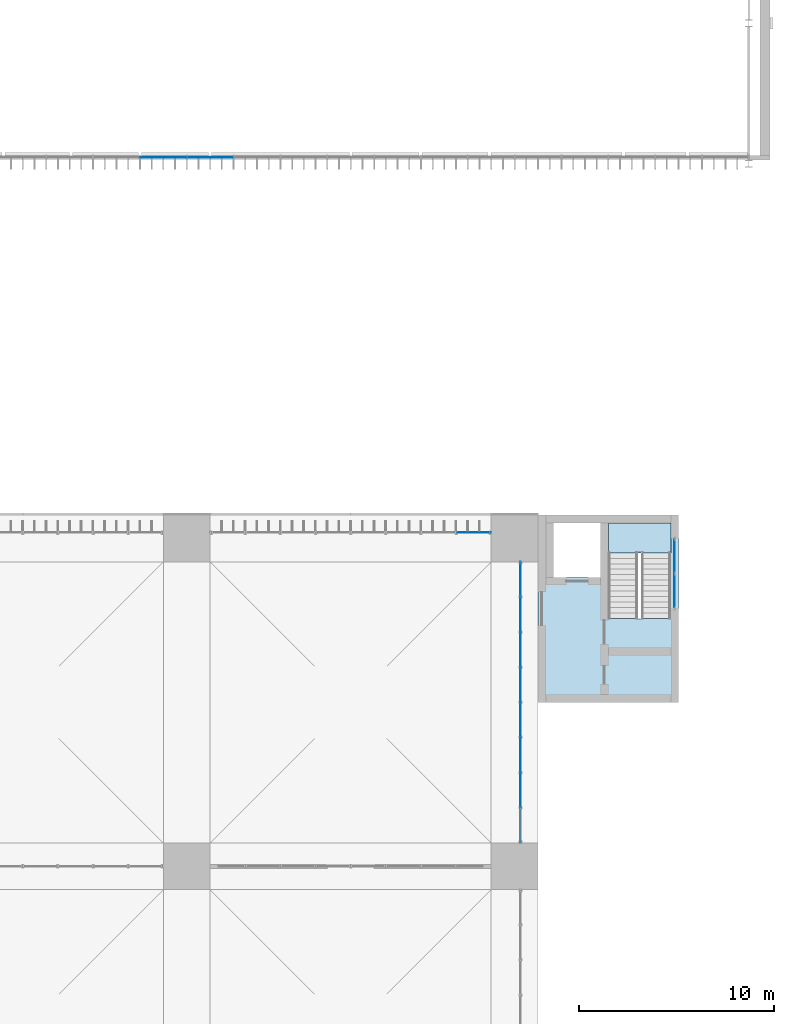
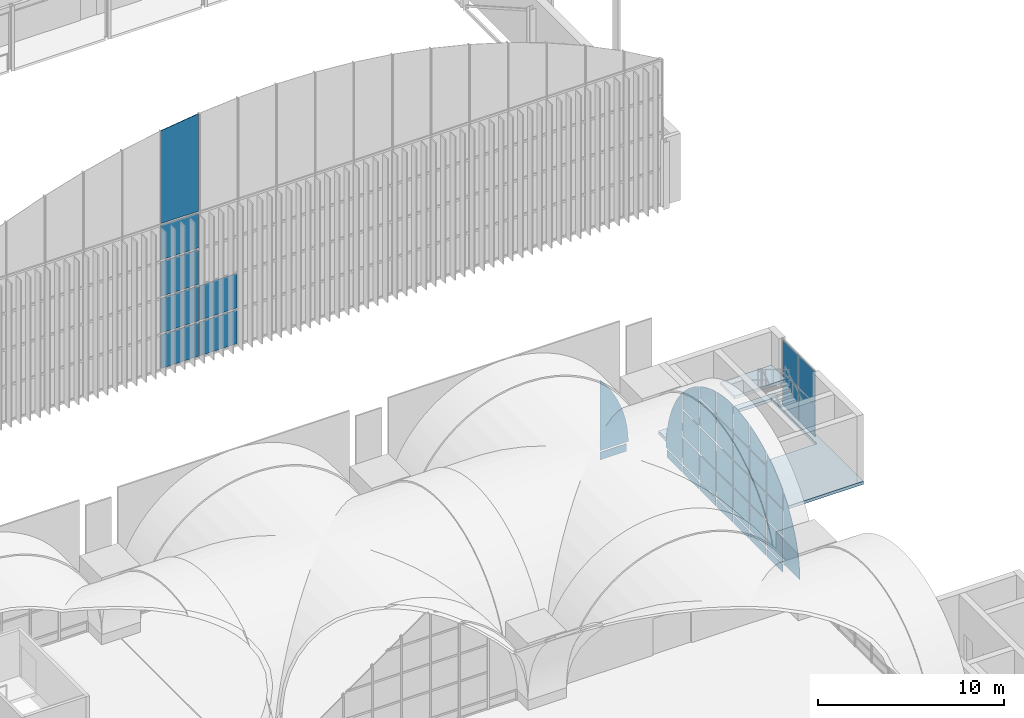
# One storey, part 94 of 169: 44 plates, 2 slabs, 5 elements without a shape of their own.
"""IFC4 building model written with IfcOpenShell, lengths in metres."""

from ifc_helpers import new_model, si_unit, direction, frame, origin, origin_2d, place, context, subcontext, project, spatial, polyline, rectangle, outline, extrude, material, layer, layer_set, type_object, element, aggregate, save


model = new_model("IFC4")

# Units and contexts
model_context = context("Model", 3, precision=1e-05, world=origin(), true_north=direction((0.0, 1.0)))
body_context = subcontext(model_context, "Body", "Model", "MODEL_VIEW")
ifc_project = project(units=[si_unit("LENGTHUNIT", "METRE"), si_unit("AREAUNIT", "SQUARE_METRE"), si_unit("VOLUMEUNIT", "CUBIC_METRE"), si_unit("PLANEANGLEUNIT", "RADIAN"), si_unit("MASSUNIT", "GRAM", prefix="KILO")], contexts=[model_context])

# Site, building, storey
site_placement = place(None, origin())
site = spatial("IfcSite", under=ifc_project, at=site_placement, CompositionType="ELEMENT")
building_placement = place(site_placement, origin())
building = spatial("IfcBuilding", under=site, at=building_placement, Name="Verrick Yard Athletic Hall", CompositionType="ELEMENT")
storey_placement = place(building_placement, frame((0.0, 0.0, 4.39990234375)))
storey = spatial("IfcBuildingStorey", under=building, at=storey_placement, Name="L01", CompositionType="ELEMENT", Elevation=4.39990234375)

# Slab
ifc_material_1 = material(Name="Concrete 35 MPa", Category="concrete")
ifc_layer_1 = layer(ifc_material_1, 0.199951171875)
ifc_layer_set_1 = layer_set([ifc_layer_1], Name="Core floor slab 200")
slab_type_1 = type_object("IfcSlabType", Name="Core floor slab 200", PredefinedType="FLOOR", material=ifc_layer_set_1)
slab_1_placement = place(storey_placement, frame((0.0, 0.0, -0.199951171875)))
element("IfcSlab", 1, at=slab_1_placement, inside=storey, type_object=slab_type_1, Name="CORE-CB4-FLR-L01", PredefinedType="FLOOR", context=body_context, shape_type="SweptSolid", body=[
    extrude(outline(polyline([(158.800048828125, 44.39990234375), (166.0, 44.39990234375), (166.0, 54.0), (158.800048828125, 54.0), (158.800048828125, 44.39990234375)]), holes=[polyline([(165.596923828125, 48.702880859375), (162.403076171875, 48.702880859375), (162.403076171875, 53.596923828125), (165.596923828125, 53.596923828125), (165.596923828125, 48.702880859375)]), polyline([(159.60302734375, 50.802978515625), (159.60302734375, 53.596923828125), (161.9970703125, 53.596923828125), (161.9970703125, 50.802978515625), (159.60302734375, 50.802978515625)])]), origin(), (0.0, 0.0, 1.0), 0.199951171875),
])

# Curtain wall, plates
ifc_material_2 = material(Name="Aluminium 6063-T5", Category="aluminium")
curtain_wall_type_1 = type_object("IfcCurtainWallType", Name="Core glazing strip", PredefinedType="NOTDEFINED", material=ifc_material_2)
curtain_wall_1_placement = place(storey_placement, origin())
curtain_wall_1 = element("IfcCurtainWall", 2, at=curtain_wall_1_placement, inside=storey, type_object=curtain_wall_type_1, Name="CORE-CB4-CW-L01", PredefinedType="NOTDEFINED")
ifc_material_3 = material(Name="Glass IGU low-e", Category="glass")
ifc_layer_2 = layer(ifc_material_3, 0.028076171875)
ifc_layer_set_2 = layer_set([ifc_layer_2], Name="Core glazing panel 28")
plate_type_1 = type_object("IfcPlateType", Name="Core glazing panel 28", PredefinedType="CURTAIN_PANEL", material=ifc_layer_set_2)
plate_1_placement = place(storey_placement, frame((165.800048828125, 50.114990234375, 0.06005859375), z_axis=(0.0, 0.0, 1.0), x_axis=(0.0, 1.0, 0.0)))
plate_1 = element("IfcPlate", 3, at=plate_1_placement, type_object=plate_type_1, Name="CW5 panel 1.1", PredefinedType="CURTAIN_PANEL", context=body_context, shape_type="SweptSolid", body=[
    extrude(rectangle(XDim=1.7099609375, YDim=0.028076171875, at=origin_2d()), origin(), (0.0, 0.0, 1.0), 2.110107421875),
])
plate_2_placement = place(storey_placement, frame((165.800048828125, 50.114990234375, 2.22998046875), z_axis=(0.0, 0.0, 1.0), x_axis=(0.0, 1.0, 0.0)))
plate_2 = element("IfcPlate", 4, at=plate_2_placement, type_object=plate_type_1, Name="CW5 panel 1.2", PredefinedType="CURTAIN_PANEL", context=body_context, shape_type="SweptSolid", body=[
    extrude(rectangle(XDim=1.7099609375, YDim=0.028076171875, at=origin_2d()), origin(), (0.0, 0.0, 1.0), 2.110107421875),
])
plate_3_placement = place(storey_placement, frame((165.800048828125, 51.885009765625, 0.06005859375), z_axis=(0.0, 0.0, 1.0), x_axis=(0.0, 1.0, 0.0)))
plate_3 = element("IfcPlate", 5, at=plate_3_placement, type_object=plate_type_1, Name="CW5 panel 2.1", PredefinedType="CURTAIN_PANEL", context=body_context, shape_type="SweptSolid", body=[
    extrude(rectangle(XDim=1.7099609375, YDim=0.028076171875, at=origin_2d()), origin(), (0.0, 0.0, 1.0), 2.110107421875),
])
plate_4_placement = place(storey_placement, frame((165.800048828125, 51.885009765625, 2.22998046875), z_axis=(0.0, 0.0, 1.0), x_axis=(0.0, 1.0, 0.0)))
plate_4 = element("IfcPlate", 6, at=plate_4_placement, type_object=plate_type_1, Name="CW5 panel 2.2", PredefinedType="CURTAIN_PANEL", context=body_context, shape_type="SweptSolid", body=[
    extrude(rectangle(XDim=1.7099609375, YDim=0.028076171875, at=origin_2d()), origin(), (0.0, 0.0, 1.0), 2.110107421875),
])
aggregate(curtain_wall_1, [plate_1, plate_2, plate_3, plate_4])

ifc_material_4 = material(Name="Aluminium and glass curtain wall", Category="aluminium")
ifc_layer_3 = layer(ifc_material_4, 0.14990234375)
ifc_layer_set_3 = layer_set([ifc_layer_3], Name="Arcade glazing arch")
curtain_wall_type_2 = type_object("IfcCurtainWallType", Name="Arcade glazing arch", PredefinedType="NOTDEFINED", material=ifc_layer_set_3)
curtain_wall_2_placement = place(storey_placement, origin())
curtain_wall_2 = element("IfcCurtainWall", 7, at=curtain_wall_2_placement, inside=storey, type_object=curtain_wall_type_2, Name="Arcade glazing N7", PredefinedType="NOTDEFINED")
ifc_material_5 = material(Name="Laminated glass 28 mm", Category="glass")
ifc_layer_4 = layer(ifc_material_5, 0.028076171875)
ifc_layer_set_4 = layer_set([ifc_layer_4], Name="Curtain wall glass panel")
plate_type_2 = type_object("IfcPlateType", Name="Curtain wall glass panel", PredefinedType="CURTAIN_PANEL", material=ifc_layer_set_4)
plate_5_placement = place(storey_placement, frame((142.0, 53.10009765625, 0.101806640625), z_axis=(0.0, 0.0, 1.0), x_axis=(1.0, 0.0, 0.0)))
plate_5 = element("IfcPlate", 8, at=plate_5_placement, type_object=plate_type_2, Name="Arcade glazing N7 panel 31", PredefinedType="CURTAIN_PANEL", context=body_context, shape_type="SweptSolid", body=[
    extrude(outline(polyline([(14.2978515625, 0.0), (14.2978515625, 0.49755859375), (12.65087890625, 0.49755859375), (12.65087890625, 0.0), (14.2978515625, 0.0)])), frame((0.0, 0.01416015625, 0.0), z_axis=(0.0, -1.0, 0.0), x_axis=(1.0, 0.0, 0.0)), (0.0, 0.0, 1.0), 0.028076171875),
])
plate_6_placement = place(storey_placement, frame((142.0, 53.10009765625, 0.700927734375), z_axis=(0.0, 0.0, 1.0), x_axis=(1.0, 0.0, 0.0)))
plate_6 = element("IfcPlate", 9, at=plate_6_placement, type_object=plate_type_2, Name="Arcade glazing N7 panel 32", PredefinedType="CURTAIN_PANEL", context=body_context, shape_type="SweptSolid", body=[
    extrude(outline(polyline([(14.39892578125, 0.0), (14.39306640625, 0.26318359375), (14.37255859375, 0.57666015625), (14.33837890625, 0.888916015625), (14.29052734375, 1.199462890625), (14.229248046875, 1.507568359375), (14.15478515625, 1.812744140625), (14.06689453125, 2.1142578125), (13.9658203125, 2.41162109375), (13.851806640625, 2.70458984375), (13.725341796875, 2.9921875), (13.58642578125, 3.273681640625), (13.435302734375, 3.549072265625), (13.2724609375, 3.81787109375), (13.097900390625, 4.078857421875), (12.912109375, 4.332275390625), (12.715576171875, 4.5771484375), (12.65087890625, 4.651123046875), (12.65087890625, 0.0), (14.39892578125, 0.0)])), frame((0.0, 0.01416015625, 0.0), z_axis=(0.0, -1.0, 0.0), x_axis=(1.0, 0.0, 0.0)), (0.0, 0.0, 1.0), 0.028076171875),
])
aggregate(curtain_wall_2, [plate_5, plate_6])

ifc_layer_5 = layer(ifc_material_4, 0.14990234375)
ifc_layer_set_5 = layer_set([ifc_layer_5], Name="East end glazing arch")
curtain_wall_type_3 = type_object("IfcCurtainWallType", Name="East end glazing arch", PredefinedType="NOTDEFINED", material=ifc_layer_set_5)
curtain_wall_3_placement = place(storey_placement, origin())
curtain_wall_3 = element("IfcCurtainWall", 10, at=curtain_wall_3_placement, inside=storey, type_object=curtain_wall_type_3, Name="East end glazing 2", PredefinedType="NOTDEFINED")
plate_7_placement = place(storey_placement, frame((157.89990234375, 37.199951171875, 0.700927734375), z_axis=(0.0, 0.0, 1.0), x_axis=(0.0, 1.0, 0.0)))
plate_7 = element("IfcPlate", 11, at=plate_7_placement, type_object=plate_type_2, Name="East end glazing 2 panel 2", PredefinedType="CURTAIN_PANEL", context=body_context, shape_type="SweptSolid", body=[
    extrude(outline(polyline([(1.749267578125, 4.651123046875), (1.6845703125, 4.5771484375), (1.48779296875, 4.332275390625), (1.302001953125, 4.078857421875), (1.127685546875, 3.81787109375), (0.964599609375, 3.549072265625), (0.8134765625, 3.273681640625), (0.674560546875, 2.9921875), (0.548095703125, 2.70458984375), (0.43408203125, 2.41162109375), (0.333251953125, 2.1142578125), (0.245361328125, 1.812744140625), (0.170654296875, 1.507568359375), (0.109375, 1.199462890625), (0.0615234375, 0.888916015625), (0.02734375, 0.57666015625), (0.0068359375, 0.26318359375), (0.001220703125, 0.0), (1.749267578125, 0.0), (1.749267578125, 4.651123046875)])), frame((0.0, 0.01416015625, 0.0), z_axis=(0.0, -1.0, 0.0), x_axis=(1.0, 0.0, 0.0)), (0.0, 0.0, 1.0), 0.028076171875),
])
plate_8_placement = place(storey_placement, frame((157.89990234375, 37.199951171875, 0.101806640625), z_axis=(0.0, 0.0, 1.0), x_axis=(0.0, 1.0, 0.0)))
plate_8 = element("IfcPlate", 12, at=plate_8_placement, type_object=plate_type_2, Name="East end glazing 2 panel 3", PredefinedType="CURTAIN_PANEL", context=body_context, shape_type="SweptSolid", body=[
    extrude(outline(polyline([(3.54931640625, 0.0), (3.54931640625, 0.49755859375), (1.850830078125, 0.49755859375), (1.850830078125, 0.0), (3.54931640625, 0.0)])), frame((0.0, 0.01416015625, 0.0), z_axis=(0.0, -1.0, 0.0), x_axis=(1.0, 0.0, 0.0)), (0.0, 0.0, 1.0), 0.028076171875),
])
plate_9_placement = place(storey_placement, frame((157.89990234375, 37.199951171875, 0.700927734375), z_axis=(0.0, 0.0, 1.0), x_axis=(0.0, 1.0, 0.0)))
plate_9 = element("IfcPlate", 13, at=plate_9_placement, type_object=plate_type_2, Name="East end glazing 2 panel 4", PredefinedType="CURTAIN_PANEL", context=body_context, shape_type="SweptSolid", body=[
    extrude(outline(polyline([(3.54931640625, 0.0), (3.54931640625, 1.698486328125), (1.850830078125, 1.698486328125), (1.850830078125, 0.0), (3.54931640625, 0.0)])), frame((0.0, 0.01416015625, 0.0), z_axis=(0.0, -1.0, 0.0), x_axis=(1.0, 0.0, 0.0)), (0.0, 0.0, 1.0), 0.028076171875),
])
plate_10_placement = place(storey_placement, frame((157.89990234375, 37.199951171875, 2.5009765625), z_axis=(0.0, 0.0, 1.0), x_axis=(0.0, 1.0, 0.0)))
plate_10 = element("IfcPlate", 14, at=plate_10_placement, type_object=plate_type_2, Name="East end glazing 2 panel 5", PredefinedType="CURTAIN_PANEL", context=body_context, shape_type="SweptSolid", body=[
    extrude(outline(polyline([(3.54931640625, 0.0), (3.54931640625, 1.6982421875), (1.850830078125, 1.6982421875), (1.850830078125, 0.0), (3.54931640625, 0.0)])), frame((0.0, 0.01416015625, 0.0), z_axis=(0.0, -1.0, 0.0), x_axis=(1.0, 0.0, 0.0)), (0.0, 0.0, 1.0), 0.028076171875),
])
plate_11_placement = place(storey_placement, frame((157.89990234375, 37.199951171875, 4.30078125), z_axis=(0.0, 0.0, 1.0), x_axis=(0.0, 1.0, 0.0)))
plate_11 = element("IfcPlate", 15, at=plate_11_placement, type_object=plate_type_2, Name="East end glazing 2 panel 6", PredefinedType="CURTAIN_PANEL", context=body_context, shape_type="SweptSolid", body=[
    extrude(outline(polyline([(3.54931640625, 2.553955078125), (3.331298828125, 2.421630859375), (3.0703125, 2.247314453125), (2.81689453125, 2.0615234375), (2.572021484375, 1.86474609375), (2.335693359375, 1.65771484375), (2.10888671875, 1.4404296875), (1.8916015625, 1.213623046875), (1.850830078125, 1.1669921875), (1.850830078125, 0.0), (3.54931640625, 0.0), (3.54931640625, 2.553955078125)])), frame((0.0, 0.01416015625, 0.0), z_axis=(0.0, -1.0, 0.0), x_axis=(1.0, 0.0, 0.0)), (0.0, 0.0, 1.0), 0.028076171875),
])
plate_12_placement = place(storey_placement, frame((157.89990234375, 37.199951171875, 0.101806640625), z_axis=(0.0, 0.0, 1.0), x_axis=(0.0, 1.0, 0.0)))
plate_12 = element("IfcPlate", 16, at=plate_12_placement, type_object=plate_type_2, Name="East end glazing 2 panel 7", PredefinedType="CURTAIN_PANEL", context=body_context, shape_type="SweptSolid", body=[
    extrude(outline(polyline([(5.34912109375, 0.0), (5.34912109375, 0.49755859375), (3.65087890625, 0.49755859375), (3.65087890625, 0.0), (5.34912109375, 0.0)])), frame((0.0, 0.01416015625, 0.0), z_axis=(0.0, -1.0, 0.0), x_axis=(1.0, 0.0, 0.0)), (0.0, 0.0, 1.0), 0.028076171875),
])
plate_13_placement = place(storey_placement, frame((157.89990234375, 37.199951171875, 0.700927734375), z_axis=(0.0, 0.0, 1.0), x_axis=(0.0, 1.0, 0.0)))
plate_13 = element("IfcPlate", 17, at=plate_13_placement, type_object=plate_type_2, Name="East end glazing 2 panel 8", PredefinedType="CURTAIN_PANEL", context=body_context, shape_type="SweptSolid", body=[
    extrude(outline(polyline([(5.34912109375, 0.0), (5.34912109375, 1.698486328125), (3.65087890625, 1.698486328125), (3.65087890625, 0.0), (5.34912109375, 0.0)])), frame((0.0, 0.01416015625, 0.0), z_axis=(0.0, -1.0, 0.0), x_axis=(1.0, 0.0, 0.0)), (0.0, 0.0, 1.0), 0.028076171875),
])
plate_14_placement = place(storey_placement, frame((157.89990234375, 37.199951171875, 2.5009765625), z_axis=(0.0, 0.0, 1.0), x_axis=(0.0, 1.0, 0.0)))
plate_14 = element("IfcPlate", 18, at=plate_14_placement, type_object=plate_type_2, Name="East end glazing 2 panel 9", PredefinedType="CURTAIN_PANEL", context=body_context, shape_type="SweptSolid", body=[
    extrude(outline(polyline([(5.34912109375, 0.0), (5.34912109375, 1.6982421875), (3.65087890625, 1.6982421875), (3.65087890625, 0.0), (5.34912109375, 0.0)])), frame((0.0, 0.01416015625, 0.0), z_axis=(0.0, -1.0, 0.0), x_axis=(1.0, 0.0, 0.0)), (0.0, 0.0, 1.0), 0.028076171875),
])
plate_15_placement = place(storey_placement, frame((157.89990234375, 37.199951171875, 4.30078125), z_axis=(0.0, 0.0, 1.0), x_axis=(0.0, 1.0, 0.0)))
plate_15 = element("IfcPlate", 19, at=plate_15_placement, type_object=plate_type_2, Name="East end glazing 2 panel 10", PredefinedType="CURTAIN_PANEL", context=body_context, shape_type="SweptSolid", body=[
    extrude(outline(polyline([(5.34912109375, 0.0), (5.34912109375, 1.698486328125), (3.65087890625, 1.698486328125), (3.65087890625, 0.0), (5.34912109375, 0.0)])), frame((0.0, 0.01416015625, 0.0), z_axis=(0.0, -1.0, 0.0), x_axis=(1.0, 0.0, 0.0)), (0.0, 0.0, 1.0), 0.028076171875),
])
plate_16_placement = place(storey_placement, frame((157.89990234375, 37.199951171875, 6.100830078125), z_axis=(0.0, 0.0, 1.0), x_axis=(0.0, 1.0, 0.0)))
plate_16 = element("IfcPlate", 20, at=plate_16_placement, type_object=plate_type_2, Name="East end glazing 2 panel 11", PredefinedType="CURTAIN_PANEL", context=body_context, shape_type="SweptSolid", body=[
    extrude(outline(polyline([(5.34912109375, 1.507080078125), (5.33642578125, 1.50390625), (5.034912109375, 1.416015625), (4.737548828125, 1.315185546875), (4.444580078125, 1.201171875), (4.156982421875, 1.07470703125), (3.87548828125, 0.935791015625), (3.65087890625, 0.8125), (3.65087890625, 0.0), (5.34912109375, 0.0), (5.34912109375, 1.507080078125)])), frame((0.0, 0.01416015625, 0.0), z_axis=(0.0, -1.0, 0.0), x_axis=(1.0, 0.0, 0.0)), (0.0, 0.0, 1.0), 0.028076171875),
])
plate_17_placement = place(storey_placement, frame((157.89990234375, 37.199951171875, 0.101806640625), z_axis=(0.0, 0.0, 1.0), x_axis=(0.0, 1.0, 0.0)))
plate_17 = element("IfcPlate", 21, at=plate_17_placement, type_object=plate_type_2, Name="East end glazing 2 panel 12", PredefinedType="CURTAIN_PANEL", context=body_context, shape_type="SweptSolid", body=[
    extrude(outline(polyline([(7.149169921875, 0.0), (7.149169921875, 0.49755859375), (5.45068359375, 0.49755859375), (5.45068359375, 0.0), (7.149169921875, 0.0)])), frame((0.0, 0.01416015625, 0.0), z_axis=(0.0, -1.0, 0.0), x_axis=(1.0, 0.0, 0.0)), (0.0, 0.0, 1.0), 0.028076171875),
])
plate_18_placement = place(storey_placement, frame((157.89990234375, 37.199951171875, 0.700927734375), z_axis=(0.0, 0.0, 1.0), x_axis=(0.0, 1.0, 0.0)))
plate_18 = element("IfcPlate", 22, at=plate_18_placement, type_object=plate_type_2, Name="East end glazing 2 panel 13", PredefinedType="CURTAIN_PANEL", context=body_context, shape_type="SweptSolid", body=[
    extrude(outline(polyline([(7.149169921875, 0.0), (7.149169921875, 1.698486328125), (5.45068359375, 1.698486328125), (5.45068359375, 0.0), (7.149169921875, 0.0)])), frame((0.0, 0.01416015625, 0.0), z_axis=(0.0, -1.0, 0.0), x_axis=(1.0, 0.0, 0.0)), (0.0, 0.0, 1.0), 0.028076171875),
])
plate_19_placement = place(storey_placement, frame((157.89990234375, 37.199951171875, 2.5009765625), z_axis=(0.0, 0.0, 1.0), x_axis=(0.0, 1.0, 0.0)))
plate_19 = element("IfcPlate", 23, at=plate_19_placement, type_object=plate_type_2, Name="East end glazing 2 panel 14", PredefinedType="CURTAIN_PANEL", context=body_context, shape_type="SweptSolid", body=[
    extrude(outline(polyline([(7.149169921875, 0.0), (7.149169921875, 1.6982421875), (5.45068359375, 1.6982421875), (5.45068359375, 0.0), (7.149169921875, 0.0)])), frame((0.0, 0.01416015625, 0.0), z_axis=(0.0, -1.0, 0.0), x_axis=(1.0, 0.0, 0.0)), (0.0, 0.0, 1.0), 0.028076171875),
])
plate_20_placement = place(storey_placement, frame((157.89990234375, 37.199951171875, 4.30078125), z_axis=(0.0, 0.0, 1.0), x_axis=(0.0, 1.0, 0.0)))
plate_20 = element("IfcPlate", 24, at=plate_20_placement, type_object=plate_type_2, Name="East end glazing 2 panel 15", PredefinedType="CURTAIN_PANEL", context=body_context, shape_type="SweptSolid", body=[
    extrude(outline(polyline([(7.149169921875, 0.0), (7.149169921875, 1.698486328125), (5.45068359375, 1.698486328125), (5.45068359375, 0.0), (7.149169921875, 0.0)])), frame((0.0, 0.01416015625, 0.0), z_axis=(0.0, -1.0, 0.0), x_axis=(1.0, 0.0, 0.0)), (0.0, 0.0, 1.0), 0.028076171875),
])
plate_21_placement = place(storey_placement, frame((157.89990234375, 37.199951171875, 6.100830078125), z_axis=(0.0, 0.0, 1.0), x_axis=(0.0, 1.0, 0.0)))
plate_21 = element("IfcPlate", 25, at=plate_21_placement, type_object=plate_type_2, Name="East end glazing 2 panel 16", PredefinedType="CURTAIN_PANEL", context=body_context, shape_type="SweptSolid", body=[
    extrude(outline(polyline([(7.149169921875, 1.748046875), (6.885986328125, 1.742431640625), (6.572509765625, 1.721923828125), (6.26025390625, 1.687744140625), (5.94970703125, 1.639892578125), (5.6416015625, 1.57861328125), (5.45068359375, 1.531982421875), (5.45068359375, 0.0), (7.149169921875, 0.0), (7.149169921875, 1.748046875)])), frame((0.0, 0.01416015625, 0.0), z_axis=(0.0, -1.0, 0.0), x_axis=(1.0, 0.0, 0.0)), (0.0, 0.0, 1.0), 0.028076171875),
])
plate_22_placement = place(storey_placement, frame((157.89990234375, 37.199951171875, 0.101806640625), z_axis=(0.0, 0.0, 1.0), x_axis=(0.0, 1.0, 0.0)))
plate_22 = element("IfcPlate", 26, at=plate_22_placement, type_object=plate_type_2, Name="East end glazing 2 panel 17", PredefinedType="CURTAIN_PANEL", context=body_context, shape_type="SweptSolid", body=[
    extrude(outline(polyline([(8.94921875, 0.0), (8.94921875, 0.49755859375), (7.250732421875, 0.49755859375), (7.250732421875, 0.0), (8.94921875, 0.0)])), frame((0.0, 0.01416015625, 0.0), z_axis=(0.0, -1.0, 0.0), x_axis=(1.0, 0.0, 0.0)), (0.0, 0.0, 1.0), 0.028076171875),
])
plate_23_placement = place(storey_placement, frame((157.89990234375, 37.199951171875, 0.700927734375), z_axis=(0.0, 0.0, 1.0), x_axis=(0.0, 1.0, 0.0)))
plate_23 = element("IfcPlate", 27, at=plate_23_placement, type_object=plate_type_2, Name="East end glazing 2 panel 18", PredefinedType="CURTAIN_PANEL", context=body_context, shape_type="SweptSolid", body=[
    extrude(outline(polyline([(8.94921875, 0.0), (8.94921875, 1.698486328125), (7.250732421875, 1.698486328125), (7.250732421875, 0.0), (8.94921875, 0.0)])), frame((0.0, 0.01416015625, 0.0), z_axis=(0.0, -1.0, 0.0), x_axis=(1.0, 0.0, 0.0)), (0.0, 0.0, 1.0), 0.028076171875),
])
plate_24_placement = place(storey_placement, frame((157.89990234375, 37.199951171875, 2.5009765625), z_axis=(0.0, 0.0, 1.0), x_axis=(0.0, 1.0, 0.0)))
plate_24 = element("IfcPlate", 28, at=plate_24_placement, type_object=plate_type_2, Name="East end glazing 2 panel 19", PredefinedType="CURTAIN_PANEL", context=body_context, shape_type="SweptSolid", body=[
    extrude(outline(polyline([(8.94921875, 0.0), (8.94921875, 1.6982421875), (7.250732421875, 1.6982421875), (7.250732421875, 0.0), (8.94921875, 0.0)])), frame((0.0, 0.01416015625, 0.0), z_axis=(0.0, -1.0, 0.0), x_axis=(1.0, 0.0, 0.0)), (0.0, 0.0, 1.0), 0.028076171875),
])
plate_25_placement = place(storey_placement, frame((157.89990234375, 37.199951171875, 4.30078125), z_axis=(0.0, 0.0, 1.0), x_axis=(0.0, 1.0, 0.0)))
plate_25 = element("IfcPlate", 29, at=plate_25_placement, type_object=plate_type_2, Name="East end glazing 2 panel 20", PredefinedType="CURTAIN_PANEL", context=body_context, shape_type="SweptSolid", body=[
    extrude(outline(polyline([(8.94921875, 0.0), (8.94921875, 1.698486328125), (7.250732421875, 1.698486328125), (7.250732421875, 0.0), (8.94921875, 0.0)])), frame((0.0, 0.01416015625, 0.0), z_axis=(0.0, -1.0, 0.0), x_axis=(1.0, 0.0, 0.0)), (0.0, 0.0, 1.0), 0.028076171875),
])
plate_26_placement = place(storey_placement, frame((157.89990234375, 37.199951171875, 6.100830078125), z_axis=(0.0, 0.0, 1.0), x_axis=(0.0, 1.0, 0.0)))
plate_26 = element("IfcPlate", 30, at=plate_26_placement, type_object=plate_type_2, Name="East end glazing 2 panel 21", PredefinedType="CURTAIN_PANEL", context=body_context, shape_type="SweptSolid", body=[
    extrude(outline(polyline([(8.94921875, 1.531982421875), (8.75830078125, 1.57861328125), (8.4501953125, 1.639892578125), (8.139892578125, 1.687744140625), (7.827392578125, 1.721923828125), (7.51416015625, 1.742431640625), (7.250732421875, 1.748046875), (7.250732421875, 0.0), (8.94921875, 0.0), (8.94921875, 1.531982421875)])), frame((0.0, 0.01416015625, 0.0), z_axis=(0.0, -1.0, 0.0), x_axis=(1.0, 0.0, 0.0)), (0.0, 0.0, 1.0), 0.028076171875),
])
plate_27_placement = place(storey_placement, frame((157.89990234375, 37.199951171875, 0.101806640625), z_axis=(0.0, 0.0, 1.0), x_axis=(0.0, 1.0, 0.0)))
plate_27 = element("IfcPlate", 31, at=plate_27_placement, type_object=plate_type_2, Name="East end glazing 2 panel 22", PredefinedType="CURTAIN_PANEL", context=body_context, shape_type="SweptSolid", body=[
    extrude(outline(polyline([(10.749267578125, 0.0), (10.749267578125, 0.49755859375), (9.05078125, 0.49755859375), (9.05078125, 0.0), (10.749267578125, 0.0)])), frame((0.0, 0.01416015625, 0.0), z_axis=(0.0, -1.0, 0.0), x_axis=(1.0, 0.0, 0.0)), (0.0, 0.0, 1.0), 0.028076171875),
])
plate_28_placement = place(storey_placement, frame((157.89990234375, 37.199951171875, 0.700927734375), z_axis=(0.0, 0.0, 1.0), x_axis=(0.0, 1.0, 0.0)))
plate_28 = element("IfcPlate", 32, at=plate_28_placement, type_object=plate_type_2, Name="East end glazing 2 panel 23", PredefinedType="CURTAIN_PANEL", context=body_context, shape_type="SweptSolid", body=[
    extrude(outline(polyline([(10.749267578125, 0.0), (10.749267578125, 1.698486328125), (9.05078125, 1.698486328125), (9.05078125, 0.0), (10.749267578125, 0.0)])), frame((0.0, 0.01416015625, 0.0), z_axis=(0.0, -1.0, 0.0), x_axis=(1.0, 0.0, 0.0)), (0.0, 0.0, 1.0), 0.028076171875),
])
plate_29_placement = place(storey_placement, frame((157.89990234375, 37.199951171875, 2.5009765625), z_axis=(0.0, 0.0, 1.0), x_axis=(0.0, 1.0, 0.0)))
plate_29 = element("IfcPlate", 33, at=plate_29_placement, type_object=plate_type_2, Name="East end glazing 2 panel 24", PredefinedType="CURTAIN_PANEL", context=body_context, shape_type="SweptSolid", body=[
    extrude(outline(polyline([(10.749267578125, 0.0), (10.749267578125, 1.6982421875), (9.05078125, 1.6982421875), (9.05078125, 0.0), (10.749267578125, 0.0)])), frame((0.0, 0.01416015625, 0.0), z_axis=(0.0, -1.0, 0.0), x_axis=(1.0, 0.0, 0.0)), (0.0, 0.0, 1.0), 0.028076171875),
])
plate_30_placement = place(storey_placement, frame((157.89990234375, 37.199951171875, 4.30078125), z_axis=(0.0, 0.0, 1.0), x_axis=(0.0, 1.0, 0.0)))
plate_30 = element("IfcPlate", 34, at=plate_30_placement, type_object=plate_type_2, Name="East end glazing 2 panel 25", PredefinedType="CURTAIN_PANEL", context=body_context, shape_type="SweptSolid", body=[
    extrude(outline(polyline([(10.749267578125, 0.0), (10.749267578125, 1.698486328125), (9.05078125, 1.698486328125), (9.05078125, 0.0), (10.749267578125, 0.0)])), frame((0.0, 0.01416015625, 0.0), z_axis=(0.0, -1.0, 0.0), x_axis=(1.0, 0.0, 0.0)), (0.0, 0.0, 1.0), 0.028076171875),
])
plate_31_placement = place(storey_placement, frame((157.89990234375, 37.199951171875, 6.100830078125), z_axis=(0.0, 0.0, 1.0), x_axis=(0.0, 1.0, 0.0)))
plate_31 = element("IfcPlate", 35, at=plate_31_placement, type_object=plate_type_2, Name="East end glazing 2 panel 26", PredefinedType="CURTAIN_PANEL", context=body_context, shape_type="SweptSolid", body=[
    extrude(outline(polyline([(10.749267578125, 0.8125), (10.524658203125, 0.935791015625), (10.242919921875, 1.07470703125), (9.955322265625, 1.201171875), (9.66259765625, 1.315185546875), (9.364990234375, 1.416015625), (9.0634765625, 1.50390625), (9.05078125, 1.507080078125), (9.05078125, 0.0), (10.749267578125, 0.0), (10.749267578125, 0.8125)])), frame((0.0, 0.01416015625, 0.0), z_axis=(0.0, -1.0, 0.0), x_axis=(1.0, 0.0, 0.0)), (0.0, 0.0, 1.0), 0.028076171875),
])
plate_32_placement = place(storey_placement, frame((157.89990234375, 37.199951171875, 0.101806640625), z_axis=(0.0, 0.0, 1.0), x_axis=(0.0, 1.0, 0.0)))
plate_32 = element("IfcPlate", 36, at=plate_32_placement, type_object=plate_type_2, Name="East end glazing 2 panel 27", PredefinedType="CURTAIN_PANEL", context=body_context, shape_type="SweptSolid", body=[
    extrude(outline(polyline([(12.54931640625, 0.0), (12.54931640625, 0.49755859375), (10.850830078125, 0.49755859375), (10.850830078125, 0.0), (12.54931640625, 0.0)])), frame((0.0, 0.01416015625, 0.0), z_axis=(0.0, -1.0, 0.0), x_axis=(1.0, 0.0, 0.0)), (0.0, 0.0, 1.0), 0.028076171875),
])
plate_33_placement = place(storey_placement, frame((157.89990234375, 37.199951171875, 0.700927734375), z_axis=(0.0, 0.0, 1.0), x_axis=(0.0, 1.0, 0.0)))
plate_33 = element("IfcPlate", 37, at=plate_33_placement, type_object=plate_type_2, Name="East end glazing 2 panel 28", PredefinedType="CURTAIN_PANEL", context=body_context, shape_type="SweptSolid", body=[
    extrude(outline(polyline([(12.54931640625, 0.0), (12.54931640625, 1.698486328125), (10.850830078125, 1.698486328125), (10.850830078125, 0.0), (12.54931640625, 0.0)])), frame((0.0, 0.01416015625, 0.0), z_axis=(0.0, -1.0, 0.0), x_axis=(1.0, 0.0, 0.0)), (0.0, 0.0, 1.0), 0.028076171875),
])
plate_34_placement = place(storey_placement, frame((157.89990234375, 37.199951171875, 2.5009765625), z_axis=(0.0, 0.0, 1.0), x_axis=(0.0, 1.0, 0.0)))
plate_34 = element("IfcPlate", 38, at=plate_34_placement, type_object=plate_type_2, Name="East end glazing 2 panel 29", PredefinedType="CURTAIN_PANEL", context=body_context, shape_type="SweptSolid", body=[
    extrude(outline(polyline([(12.54931640625, 0.0), (12.54931640625, 1.6982421875), (10.850830078125, 1.6982421875), (10.850830078125, 0.0), (12.54931640625, 0.0)])), frame((0.0, 0.01416015625, 0.0), z_axis=(0.0, -1.0, 0.0), x_axis=(1.0, 0.0, 0.0)), (0.0, 0.0, 1.0), 0.028076171875),
])
plate_35_placement = place(storey_placement, frame((157.89990234375, 37.199951171875, 4.30078125), z_axis=(0.0, 0.0, 1.0), x_axis=(0.0, 1.0, 0.0)))
plate_35 = element("IfcPlate", 39, at=plate_35_placement, type_object=plate_type_2, Name="East end glazing 2 panel 30", PredefinedType="CURTAIN_PANEL", context=body_context, shape_type="SweptSolid", body=[
    extrude(outline(polyline([(12.54931640625, 1.1669921875), (12.50830078125, 1.213623046875), (12.291259765625, 1.4404296875), (12.064208984375, 1.65771484375), (11.828125, 1.86474609375), (11.5830078125, 2.0615234375), (11.329833984375, 2.247314453125), (11.068603515625, 2.421630859375), (10.850830078125, 2.553955078125), (10.850830078125, 0.0), (12.54931640625, 0.0), (12.54931640625, 1.1669921875)])), frame((0.0, 0.01416015625, 0.0), z_axis=(0.0, -1.0, 0.0), x_axis=(1.0, 0.0, 0.0)), (0.0, 0.0, 1.0), 0.028076171875),
])
plate_36_placement = place(storey_placement, frame((157.89990234375, 37.199951171875, 0.101806640625), z_axis=(0.0, 0.0, 1.0), x_axis=(0.0, 1.0, 0.0)))
plate_36 = element("IfcPlate", 40, at=plate_36_placement, type_object=plate_type_2, Name="East end glazing 2 panel 31", PredefinedType="CURTAIN_PANEL", context=body_context, shape_type="SweptSolid", body=[
    extrude(outline(polyline([(14.2978515625, 0.0), (14.2978515625, 0.49755859375), (12.65087890625, 0.49755859375), (12.65087890625, 0.0), (14.2978515625, 0.0)])), frame((0.0, 0.01416015625, 0.0), z_axis=(0.0, -1.0, 0.0), x_axis=(1.0, 0.0, 0.0)), (0.0, 0.0, 1.0), 0.028076171875),
])
plate_37_placement = place(storey_placement, frame((157.89990234375, 37.199951171875, 0.700927734375), z_axis=(0.0, 0.0, 1.0), x_axis=(0.0, 1.0, 0.0)))
plate_37 = element("IfcPlate", 41, at=plate_37_placement, type_object=plate_type_2, Name="East end glazing 2 panel 32", PredefinedType="CURTAIN_PANEL", context=body_context, shape_type="SweptSolid", body=[
    extrude(outline(polyline([(14.39892578125, 0.0), (14.39306640625, 0.26318359375), (14.37255859375, 0.57666015625), (14.33837890625, 0.888916015625), (14.29052734375, 1.199462890625), (14.229248046875, 1.507568359375), (14.15478515625, 1.812744140625), (14.06689453125, 2.1142578125), (13.9658203125, 2.41162109375), (13.851806640625, 2.70458984375), (13.725341796875, 2.9921875), (13.58642578125, 3.273681640625), (13.435302734375, 3.549072265625), (13.2724609375, 3.81787109375), (13.097900390625, 4.078857421875), (12.912109375, 4.332275390625), (12.715576171875, 4.5771484375), (12.65087890625, 4.651123046875), (12.65087890625, 0.0), (14.39892578125, 0.0)])), frame((0.0, 0.01416015625, 0.0), z_axis=(0.0, -1.0, 0.0), x_axis=(1.0, 0.0, 0.0)), (0.0, 0.0, 1.0), 0.028076171875),
])
aggregate(curtain_wall_3, [plate_7, plate_8, plate_9, plate_10, plate_11, plate_12, plate_13, plate_14, plate_15, plate_16, plate_17, plate_18, plate_19, plate_20, plate_21, plate_22, plate_23, plate_24, plate_25, plate_26, plate_27, plate_28, plate_29, plate_30, plate_31, plate_32, plate_33, plate_34, plate_35, plate_36, plate_37])

ifc_material_6 = material(Name="Anodised aluminium", Category="aluminium")
ifc_layer_6 = layer(ifc_material_6, 0.199951171875)
ifc_layer_set_6 = layer_set([ifc_layer_6], Name="Gable glazing")
curtain_wall_type_4 = type_object("IfcCurtainWallType", Name="Gable glazing", PredefinedType="NOTDEFINED", material=ifc_layer_set_6)
curtain_wall_4_placement = place(storey_placement, origin())
curtain_wall_4 = element("IfcCurtainWall", 42, at=curtain_wall_4_placement, inside=storey, type_object=curtain_wall_type_4, Name="Gable curtain wall AS", PredefinedType="NOTDEFINED")
ifc_layer_7 = layer(ifc_material_3, 0.03125)
ifc_layer_set_7 = layer_set([ifc_layer_7], Name="Glazing panel 31")
plate_type_3 = type_object("IfcPlateType", Name="Glazing panel 31", PredefinedType="CURTAIN_PANEL", material=ifc_layer_set_7)
plate_38_placement = place(storey_placement, frame((139.60009765625, 72.318359375, 0.1201171875), z_axis=(0.0, 0.0, 1.0), x_axis=(1.0, 0.0, 0.0)))
plate_38 = element("IfcPlate", 43, at=plate_38_placement, type_object=plate_type_3, Name="ENVB-HAS-CW/P07-00", PredefinedType="CURTAIN_PANEL", context=body_context, shape_type="SweptSolid", body=[
    extrude(rectangle(XDim=2.340087890625, YDim=0.03125, at=origin_2d()), origin(), (0.0, 0.0, 1.0), 2.219970703125),
])
plate_39_placement = place(storey_placement, frame((139.60009765625, 72.318359375, 2.4599609375), z_axis=(0.0, 0.0, 1.0), x_axis=(1.0, 0.0, 0.0)))
plate_39 = element("IfcPlate", 44, at=plate_39_placement, type_object=plate_type_3, Name="ENVB-HAS-CW/P07-01", PredefinedType="CURTAIN_PANEL", context=body_context, shape_type="SweptSolid", body=[
    extrude(rectangle(XDim=2.340087890625, YDim=0.03125, at=origin_2d()), origin(), (0.0, 0.0, 1.0), 2.280029296875),
])
plate_40_placement = place(storey_placement, frame((139.60009765625, 72.318359375, 4.85986328125), z_axis=(0.0, 0.0, 1.0), x_axis=(1.0, 0.0, 0.0)))
plate_40 = element("IfcPlate", 45, at=plate_40_placement, type_object=plate_type_3, Name="ENVB-HAS-CW/P07-02", PredefinedType="CURTAIN_PANEL", context=body_context, shape_type="SweptSolid", body=[
    extrude(rectangle(XDim=2.340087890625, YDim=0.03125, at=origin_2d()), origin(), (0.0, 0.0, 1.0), 2.280029296875),
])
plate_41_placement = place(storey_placement, frame((139.60009765625, 72.318359375, 7.26025390625), z_axis=(0.0, 0.0, 1.0), x_axis=(1.0, 0.0, 0.0)))
plate_41 = element("IfcPlate", 46, at=plate_41_placement, type_object=plate_type_3, Name="ENVB-HAS-CW/P07-03", PredefinedType="CURTAIN_PANEL", context=body_context, shape_type="SweptSolid", body=[
    extrude(rectangle(XDim=2.340087890625, YDim=0.03125, at=origin_2d()), origin(), (0.0, 0.0, 1.0), 2.280029296875),
])
plate_42_placement = place(storey_placement, frame((142.0, 72.318359375, 0.1201171875), z_axis=(0.0, 0.0, 1.0), x_axis=(1.0, 0.0, 0.0)))
plate_42 = element("IfcPlate", 47, at=plate_42_placement, type_object=plate_type_3, Name="ENVB-HAS-CW/P08-00", PredefinedType="CURTAIN_PANEL", context=body_context, shape_type="SweptSolid", body=[
    extrude(rectangle(XDim=2.340087890625, YDim=0.03125, at=origin_2d()), origin(), (0.0, 0.0, 1.0), 2.219970703125),
])
plate_43_placement = place(storey_placement, frame((142.0, 72.318359375, 2.4599609375), z_axis=(0.0, 0.0, 1.0), x_axis=(1.0, 0.0, 0.0)))
plate_43 = element("IfcPlate", 48, at=plate_43_placement, type_object=plate_type_3, Name="ENVB-HAS-CW/P08-01", PredefinedType="CURTAIN_PANEL", context=body_context, shape_type="SweptSolid", body=[
    extrude(rectangle(XDim=2.340087890625, YDim=0.03125, at=origin_2d()), origin(), (0.0, 0.0, 1.0), 2.280029296875),
])
plate_44_placement = place(storey_placement, frame((138.429931640625, 72.318359375, 9.66015625), z_axis=(0.0, 0.0, 1.0), x_axis=(1.0, 0.0, 0.0)))
plate_44 = element("IfcPlate", 49, at=plate_44_placement, type_object=plate_type_3, Name="ENVB-HAS-CW/PA07", PredefinedType="CURTAIN_PANEL", context=body_context, shape_type="SweptSolid", body=[
    extrude(outline(polyline([(0.0, 6.103759765625), (2.340087890625, 6.41162109375), (2.340087890625, 0.0), (0.0, 0.0), (0.0, 6.103759765625)])), frame((0.0, 0.015625, 0.0), z_axis=(0.0, -1.0, 0.0), x_axis=(1.0, 0.0, 0.0)), (0.0, 0.0, 1.0), 0.03125),
])
aggregate(curtain_wall_4, [plate_38, plate_39, plate_40, plate_41, plate_42, plate_43, plate_44])

# Stair, slab
stair_type = type_object("IfcStairType", Name="Stair ST1 1500 wide 26 risers", PredefinedType="HALF_TURN_STAIR", material=ifc_material_1)
stair_placement = place(storey_placement, origin())
stair = element("IfcStair", 50, at=stair_placement, inside=storey, type_object=stair_type, Name="Plinth north-east stair L01", PredefinedType="HALF_TURN_STAIR")
ifc_layer_8 = layer(ifc_material_1, 0.199951171875)
ifc_layer_set_8 = layer_set([ifc_layer_8], Name="Stair landing slab 200")
slab_type_2 = type_object("IfcSlabType", Name="Stair landing slab 200", PredefinedType="LANDING", material=ifc_layer_set_8)
slab_2_placement = place(storey_placement, frame((0.0, 0.0, 2.0)))
slab_2 = element("IfcSlab", 51, at=slab_2_placement, type_object=slab_type_2, Name="ST1 landing 1", PredefinedType="LANDING", context=body_context, shape_type="SweptSolid", body=[
    extrude(outline(polyline([(165.60009765625, 52.06005859375), (165.60009765625, 53.60009765625), (162.39990234375, 53.60009765625), (162.39990234375, 52.06005859375), (165.60009765625, 52.06005859375)])), origin(), (0.0, 0.0, 1.0), 0.2001953125),
])
aggregate(stair, [slab_2])

save(model, "model.ifc")
